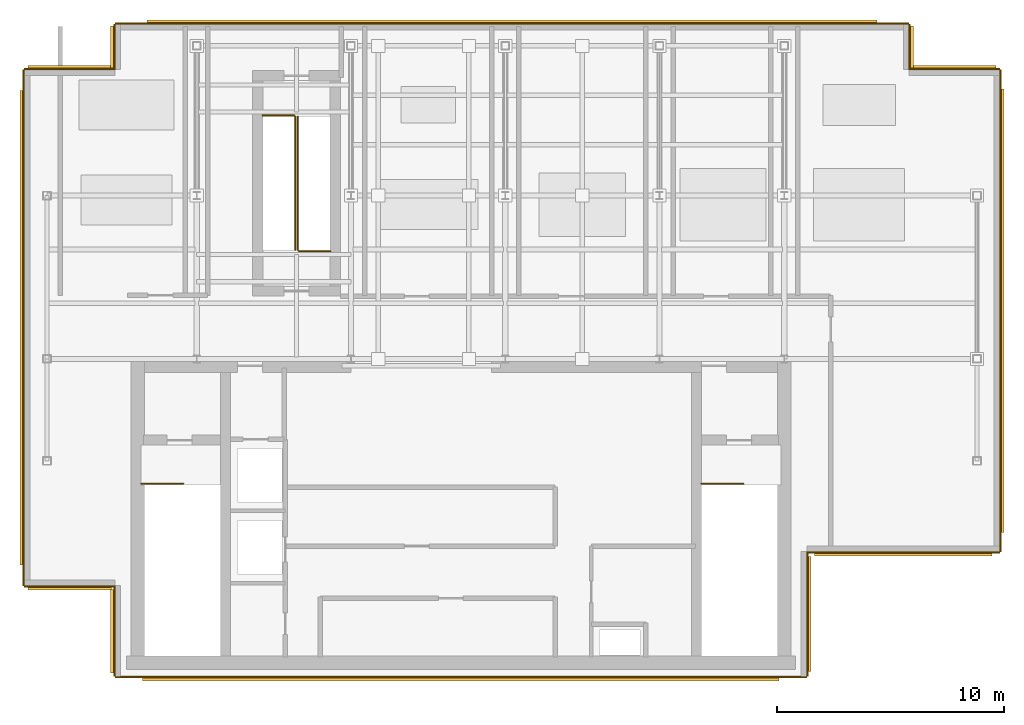
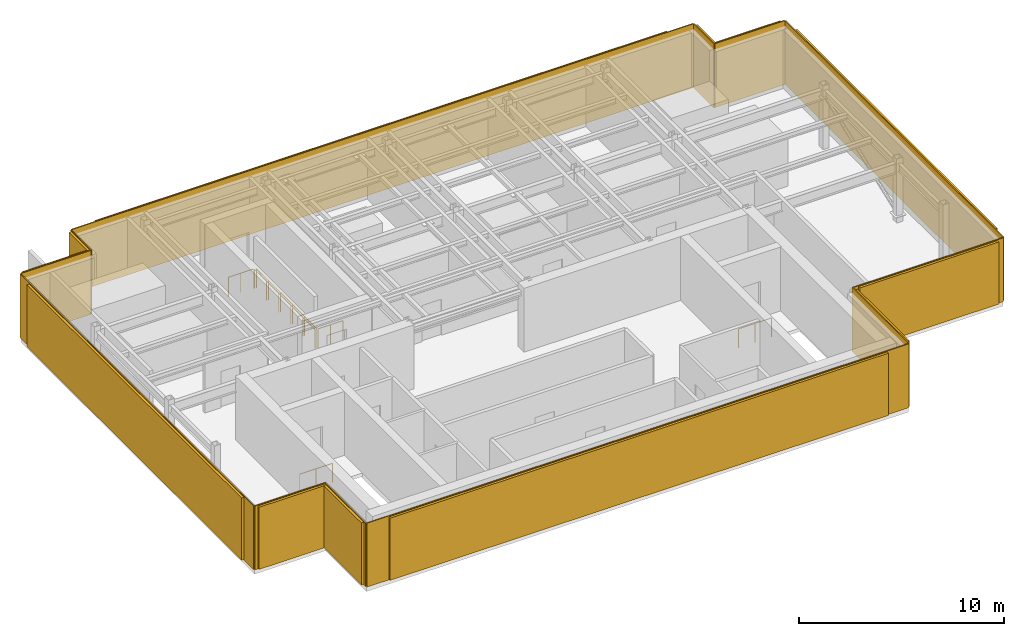
# One storey, part 4 of 5: 12 coverings, 12 shading devices, 6 railings.
"""IFC4 building model written with IfcOpenShell, lengths in metres."""

from ifc_helpers import new_model, si_unit, derived_unit, direction, frame, origin, origin_2d, place, context, subcontext, project, spatial, rectangle, circle, extrude, source, transform, mapped, material, layer, layer_set, type_object, element, save


model = new_model("IFC4")

# Units and contexts
model_context = context("Model", 3, precision=1e-05, world=origin(), true_north=direction((0.0, 1.0)))
body_context = subcontext(model_context, "Body", "Model", "MODEL_VIEW")
ifc_project = project(units=[si_unit("LENGTHUNIT", "METRE"), si_unit("AREAUNIT", "SQUARE_METRE"), si_unit("VOLUMEUNIT", "CUBIC_METRE"), si_unit("PLANEANGLEUNIT", "RADIAN"), si_unit("MASSUNIT", "GRAM", prefix="KILO"), derived_unit("THERMALTRANSMITTANCEUNIT", [(si_unit("POWERUNIT", "WATT"), 1), (si_unit("LENGTHUNIT", "METRE"), -2), (si_unit("THERMODYNAMICTEMPERATUREUNIT", "KELVIN"), -1)])], contexts=[model_context])

# Site, building, storey
site_placement = place(None, origin())
site = spatial("IfcSite", under=ifc_project, at=site_placement, CompositionType="ELEMENT")
building_placement = place(site_placement, origin())
building = spatial("IfcBuilding", under=site, at=building_placement, Name="Skarnbrae Concourse Arena and Tower", CompositionType="ELEMENT")
storey_placement = place(building_placement, frame((0.0, 0.0, 311.25)))
storey = spatial("IfcBuildingStorey", under=building, at=storey_placement, Name="L81", CompositionType="ELEMENT", Elevation=311.25)

# Railings
ifc_material_1 = material(Name="Steel CSA G40.21 350W", Category="steel")
railing_type = type_object("IfcRailingType", Name="RAIL-STAIR-GUARD-1150", PredefinedType="GUARDRAIL", material=ifc_material_1)
railing_1_placement = place(storey_placement, frame((5.14990234375, 8.5, 0.0)))
element("IfcRailing", 1, at=railing_1_placement, inside=storey, type_object=railing_type, Name="L81 ST-1 top well guard 1", PredefinedType="GUARDRAIL", context=body_context, shape_type="SweptSolid", body=[
    extrude(circle(Radius=0.02392578125, at=origin_2d()), frame((0.0, 0.0, 1.1259765625), z_axis=(1.0, 0.0, 0.0), x_axis=(0.0, 1.0, 0.0)), (0.0, 0.0, 1.0), 1.85009765625),
    extrude(circle(Radius=0.02099609375, at=origin_2d()), origin(), (0.0, 0.0, 1.0), 1.101806640625),
    extrude(circle(Radius=0.02099609375, at=origin_2d()), frame((0.925048828125, 0.0, 0.0)), (0.0, 0.0, 1.0), 1.101806640625),
    extrude(circle(Radius=0.02099609375, at=origin_2d()), frame((1.85009765625, 0.0, 0.0)), (0.0, 0.0, 1.0), 1.101806640625),
])
railing_2_placement = place(storey_placement, frame((29.85009765625, 8.5, 0.0)))
element("IfcRailing", 2, at=railing_2_placement, inside=storey, type_object=railing_type, Name="L81 ST-2 top well guard 1", PredefinedType="GUARDRAIL", context=body_context, shape_type="SweptSolid", body=[
    extrude(circle(Radius=0.02392578125, at=origin_2d()), frame((0.0, 0.0, 1.1259765625), z_axis=(1.0, 0.0, 0.0), x_axis=(0.0, 1.0, 0.0)), (0.0, 0.0, 1.0), 1.849853515625),
    extrude(circle(Radius=0.02099609375, at=origin_2d()), origin(), (0.0, 0.0, 1.0), 1.101806640625),
    extrude(circle(Radius=0.02099609375, at=origin_2d()), frame((0.9248046875, 0.0, 0.0)), (0.0, 0.0, 1.0), 1.101806640625),
    extrude(circle(Radius=0.02099609375, at=origin_2d()), frame((1.849853515625, 0.0, 0.0)), (0.0, 0.0, 1.0), 1.101806640625),
])
for number, where, name in (
    (3, (13.5, 18.75, 0.0), "L81 ST-CRWN top well guard 1"),
    (4, (11.89990234375, 24.72998046875, 0.0), "L81 ST-CRWN top well guard 2"),
):
    element("IfcRailing", number, at=place(storey_placement, frame(where)), inside=storey, type_object=railing_type, Name=name, PredefinedType="GUARDRAIL", context=body_context, shape_type="SweptSolid", body=[
        extrude(circle(Radius=0.02392578125, at=origin_2d()), frame((0.0, 0.0, 1.1259765625), z_axis=(-1.0, 0.0, 0.0), x_axis=(0.0, -1.0, 0.0)), (0.0, 0.0, 1.0), 1.39990234375),
        extrude(circle(Radius=0.02099609375, at=origin_2d()), origin(), (0.0, 0.0, 1.0), 1.101806640625),
        extrude(circle(Radius=0.02099609375, at=origin_2d()), frame((-0.699951171875, 0.0, 0.0)), (0.0, 0.0, 1.0), 1.101806640625),
        extrude(circle(Radius=0.02099609375, at=origin_2d()), frame((-1.39990234375, 0.0, 0.0)), (0.0, 0.0, 1.0), 1.101806640625),
    ])
for number, where, name in (
    (5, (12.050048828125, 18.800048828125, 0.0), "L81 ST-CRWN top well guard 3"),
    (6, (11.949951171875, 18.800048828125, 0.0), "L81 ST-CRWN top well guard 4"),
):
    element("IfcRailing", number, at=place(storey_placement, frame(where)), inside=storey, type_object=railing_type, Name=name, PredefinedType="GUARDRAIL", context=body_context, shape_type="SweptSolid", body=[
        extrude(circle(Radius=0.02392578125, at=origin_2d()), frame((0.0, 0.0, 1.1259765625), z_axis=(0.0, 1.0, 0.0), x_axis=(-1.0, 0.0, 0.0)), (0.0, 0.0, 1.0), 5.8798828125),
        extrude(circle(Radius=0.02099609375, at=origin_2d()), origin(), (0.0, 0.0, 1.0), 1.101806640625),
        extrude(circle(Radius=0.02099609375, at=origin_2d()), frame((0.0, 1.176025390625, 0.0)), (0.0, 0.0, 1.0), 1.101806640625),
        extrude(circle(Radius=0.02099609375, at=origin_2d()), frame((0.0, 2.35205078125, 0.0)), (0.0, 0.0, 1.0), 1.101806640625),
        extrude(circle(Radius=0.02099609375, at=origin_2d()), frame((0.0, 3.52783203125, 0.0)), (0.0, 0.0, 1.0), 1.101806640625),
        extrude(circle(Radius=0.02099609375, at=origin_2d()), frame((0.0, 4.703857421875, 0.0)), (0.0, 0.0, 1.0), 1.101806640625),
        extrude(circle(Radius=0.02099609375, at=origin_2d()), frame((0.0, 5.8798828125, 0.0)), (0.0, 0.0, 1.0), 1.101806640625),
    ])

# Covering
ifc_material_2 = material(Name="Bronze anodised aluminium 6063-T6", Category="aluminium")
ifc_layer = layer(ifc_material_2, 0.06005859375)
ifc_layer_set = layer_set([ifc_layer], Name="Bronze anodised aluminium 6063-T6")
covering_type = type_object("IfcCoveringType", Name="COV-CLAD-BRONZE-60", PredefinedType="CLADDING", material=ifc_layer_set)
shared_shape_1 = source(origin(), body_context, "Body", "SweptSolid", [
    extrude(rectangle(XDim=30.5, YDim=0.06005859375, at=origin_2d()), origin(), (0.0, 0.0, 1.0), 3.800048828125),
])
covering_1_placement = place(storey_placement, frame((19.25, -0.030029296875, 0.0), z_axis=(0.0, 0.0, 1.0), x_axis=(1.0, 0.0, 0.0)))
element("IfcCovering", 7, at=covering_1_placement, inside=storey, type_object=covering_type, Name="L81 Bronze crown rainscreen cladding 01", PredefinedType="CLADDING", context=body_context, shape_type="MappedRepresentation", body=[
    mapped(shared_shape_1, transform((0.0, 0.0, 0.0))),
])

# Shading device
shading_device_type = type_object("IfcShadingDeviceType", Name="SHD-BRONZE-LOUVRE-150", PredefinedType="USERDEFINED", material=ifc_material_2)
shared_shape_2 = source(origin(), body_context, "Body", "SweptSolid", [
    extrude(rectangle(XDim=28.06005859375, YDim=0.139892578125, at=origin_2d()), origin(), (0.0, 0.0, 1.0), 3.699951171875),
])
shading_device_1_placement = place(storey_placement, frame((19.25, -0.1201171875, 0.0498046875), z_axis=(0.0, 0.0, 1.0), x_axis=(1.0, 0.0, 0.0)))
element("IfcShadingDevice", 8, at=shading_device_1_placement, inside=storey, type_object=shading_device_type, Name="L81 Crown bronze architectural louvre screen 01", ObjectType="LOUVRE", PredefinedType="USERDEFINED", context=body_context, shape_type="MappedRepresentation", body=[
    mapped(shared_shape_2, transform((0.0, 0.0, 0.0))),
])

# Covering
shared_shape_3 = source(origin(), body_context, "Body", "SweptSolid", [
    extrude(rectangle(XDim=5.5, YDim=0.06005859375, at=origin_2d()), origin(), (0.0, 0.0, 1.0), 3.800048828125),
])
covering_2_placement = place(storey_placement, frame((34.530029296875, 2.75, 0.0), z_axis=(0.0, 0.0, 1.0), x_axis=(0.0, 1.0, 0.0)))
element("IfcCovering", 9, at=covering_2_placement, inside=storey, type_object=covering_type, Name="L81 Bronze crown rainscreen cladding 02", PredefinedType="CLADDING", context=body_context, shape_type="MappedRepresentation", body=[
    mapped(shared_shape_3, transform((0.0, 0.0, 0.0))),
])

# Shading device
shared_shape_4 = source(origin(), body_context, "Body", "SweptSolid", [
    extrude(rectangle(XDim=5.06005859375, YDim=0.139892578125, at=origin_2d()), origin(), (0.0, 0.0, 1.0), 3.699951171875),
])
shading_device_2_placement = place(storey_placement, frame((34.6201171875, 2.75, 0.0498046875), z_axis=(0.0, 0.0, 1.0), x_axis=(0.0, 1.0, 0.0)))
element("IfcShadingDevice", 10, at=shading_device_2_placement, inside=storey, type_object=shading_device_type, Name="L81 Crown bronze architectural louvre screen 02", ObjectType="LOUVRE", PredefinedType="USERDEFINED", context=body_context, shape_type="MappedRepresentation", body=[
    mapped(shared_shape_4, transform((0.0, 0.0, 0.0))),
])

# Covering
shared_shape_5 = source(origin(), body_context, "Body", "SweptSolid", [
    extrude(rectangle(XDim=8.5, YDim=0.06005859375, at=origin_2d()), origin(), (0.0, 0.0, 1.0), 3.800048828125),
])
covering_3_placement = place(storey_placement, frame((38.75, 5.469970703125, 0.0), z_axis=(0.0, 0.0, 1.0), x_axis=(1.0, 0.0, 0.0)))
element("IfcCovering", 11, at=covering_3_placement, inside=storey, type_object=covering_type, Name="L81 Bronze crown rainscreen cladding 03", PredefinedType="CLADDING", context=body_context, shape_type="MappedRepresentation", body=[
    mapped(shared_shape_5, transform((0.0, 0.0, 0.0))),
])

# Shading device
shared_shape_6 = source(origin(), body_context, "Body", "SweptSolid", [
    extrude(rectangle(XDim=7.820068359375, YDim=0.139892578125, at=origin_2d()), origin(), (0.0, 0.0, 1.0), 3.699951171875),
])
shading_device_3_placement = place(storey_placement, frame((38.75, 5.3798828125, 0.0498046875), z_axis=(0.0, 0.0, 1.0), x_axis=(1.0, 0.0, 0.0)))
element("IfcShadingDevice", 12, at=shading_device_3_placement, inside=storey, type_object=shading_device_type, Name="L81 Crown bronze architectural louvre screen 03", ObjectType="LOUVRE", PredefinedType="USERDEFINED", context=body_context, shape_type="MappedRepresentation", body=[
    mapped(shared_shape_6, transform((0.0, 0.0, 0.0))),
])

# Covering
shared_shape_7 = source(origin(), body_context, "Body", "SweptSolid", [
    extrude(rectangle(XDim=21.25, YDim=0.06005859375, at=origin_2d()), origin(), (0.0, 0.0, 1.0), 3.800048828125),
])
covering_4_placement = place(storey_placement, frame((43.030029296875, 16.125, 0.0), z_axis=(0.0, 0.0, 1.0), x_axis=(0.0, 1.0, 0.0)))
element("IfcCovering", 13, at=covering_4_placement, inside=storey, type_object=covering_type, Name="L81 Bronze crown rainscreen cladding 04", PredefinedType="CLADDING", context=body_context, shape_type="MappedRepresentation", body=[
    mapped(shared_shape_7, transform((0.0, 0.0, 0.0))),
])

# Shading device
shared_shape_8 = source(origin(), body_context, "Body", "SweptSolid", [
    extrude(rectangle(XDim=19.550048828125, YDim=0.139892578125, at=origin_2d()), origin(), (0.0, 0.0, 1.0), 3.699951171875),
])
shading_device_4_placement = place(storey_placement, frame((43.1201171875, 16.125, 0.0498046875), z_axis=(0.0, 0.0, 1.0), x_axis=(0.0, 1.0, 0.0)))
element("IfcShadingDevice", 14, at=shading_device_4_placement, inside=storey, type_object=shading_device_type, Name="L81 Crown bronze architectural louvre screen 04", ObjectType="LOUVRE", PredefinedType="USERDEFINED", context=body_context, shape_type="MappedRepresentation", body=[
    mapped(shared_shape_8, transform((0.0, 0.0, 0.0))),
])

# Coverings
shared_shape_9 = source(origin(), body_context, "Body", "SweptSolid", [
    extrude(rectangle(XDim=4.0, YDim=0.06005859375, at=origin_2d()), origin(), (0.0, 0.0, 1.0), 3.800048828125),
])
for number, where, z_axis, x_axis, name in (
    (15, (41.0, 26.780029296875, 0.0), (0.0, 0.0, 1.0), (-1.0, 0.0, 0.0), "L81 Bronze crown rainscreen cladding 05"),
    (16, (2.0, 26.780029296875, 0.0), (0.0, 0.0, 1.0), (-1.0, 0.0, 0.0), "L81 Bronze crown rainscreen cladding 09"),
    (17, (2.0, 3.969970703125, 0.0), (0.0, 0.0, 1.0), (1.0, 0.0, 0.0), "L81 Bronze crown rainscreen cladding 11"),
    (18, (3.969970703125, 2.0, 0.0), (0.0, 0.0, 1.0), (0.0, -1.0, 0.0), "L81 Bronze crown rainscreen cladding 12"),
):
    element("IfcCovering", number, at=place(storey_placement, frame(where, z_axis=z_axis, x_axis=x_axis)), inside=storey, type_object=covering_type, Name=name, PredefinedType="CLADDING", context=body_context, shape_type="MappedRepresentation", body=[
        mapped(shared_shape_9, transform((0.0, 0.0, 0.0))),
    ])

# Shading devices
shared_shape_10 = source(origin(), body_context, "Body", "SweptSolid", [
    extrude(rectangle(XDim=3.679931640625, YDim=0.139892578125, at=origin_2d()), origin(), (0.0, 0.0, 1.0), 3.699951171875),
])
for number, where, z_axis, x_axis, name in (
    (19, (41.0, 26.8701171875, 0.0498046875), (0.0, 0.0, 1.0), (-1.0, 0.0, 0.0), "L81 Crown bronze architectural louvre screen 05"),
    (20, (2.0, 26.8701171875, 0.0498046875), (0.0, 0.0, 1.0), (-1.0, 0.0, 0.0), "L81 Crown bronze architectural louvre screen 09"),
    (21, (2.0, 3.8798828125, 0.0498046875), (0.0, 0.0, 1.0), (1.0, 0.0, 0.0), "L81 Crown bronze architectural louvre screen 11"),
    (22, (3.8798828125, 2.0, 0.0498046875), (0.0, 0.0, 1.0), (0.0, -1.0, 0.0), "L81 Crown bronze architectural louvre screen 12"),
):
    element("IfcShadingDevice", number, at=place(storey_placement, frame(where, z_axis=z_axis, x_axis=x_axis)), inside=storey, type_object=shading_device_type, Name=name, ObjectType="LOUVRE", PredefinedType="USERDEFINED", context=body_context, shape_type="MappedRepresentation", body=[
        mapped(shared_shape_10, transform((0.0, 0.0, 0.0))),
    ])

# Coverings
shared_shape_11 = source(origin(), body_context, "Body", "SweptSolid", [
    extrude(rectangle(XDim=2.0, YDim=0.06005859375, at=origin_2d()), origin(), (0.0, 0.0, 1.0), 3.800048828125),
])
for number, where, z_axis, x_axis, name in (
    (23, (39.030029296875, 27.75, 0.0), (0.0, 0.0, 1.0), (0.0, 1.0, 0.0), "L81 Bronze crown rainscreen cladding 06"),
    (24, (3.969970703125, 27.75, 0.0), (0.0, 0.0, 1.0), (0.0, -1.0, 0.0), "L81 Bronze crown rainscreen cladding 08"),
):
    element("IfcCovering", number, at=place(storey_placement, frame(where, z_axis=z_axis, x_axis=x_axis)), inside=storey, type_object=covering_type, Name=name, PredefinedType="CLADDING", context=body_context, shape_type="MappedRepresentation", body=[
        mapped(shared_shape_11, transform((0.0, 0.0, 0.0))),
    ])

# Shading devices
shared_shape_12 = source(origin(), body_context, "Body", "SweptSolid", [
    extrude(rectangle(XDim=1.840087890625, YDim=0.139892578125, at=origin_2d()), origin(), (0.0, 0.0, 1.0), 3.699951171875),
])
for number, where, z_axis, x_axis, name in (
    (25, (39.1201171875, 27.75, 0.0498046875), (0.0, 0.0, 1.0), (0.0, 1.0, 0.0), "L81 Crown bronze architectural louvre screen 06"),
    (26, (3.8798828125, 27.75, 0.0498046875), (0.0, 0.0, 1.0), (0.0, -1.0, 0.0), "L81 Crown bronze architectural louvre screen 08"),
):
    element("IfcShadingDevice", number, at=place(storey_placement, frame(where, z_axis=z_axis, x_axis=x_axis)), inside=storey, type_object=shading_device_type, Name=name, ObjectType="LOUVRE", PredefinedType="USERDEFINED", context=body_context, shape_type="MappedRepresentation", body=[
        mapped(shared_shape_12, transform((0.0, 0.0, 0.0))),
    ])

# Covering
shared_shape_13 = source(origin(), body_context, "Body", "SweptSolid", [
    extrude(rectangle(XDim=35.0, YDim=0.06005859375, at=origin_2d()), origin(), (0.0, 0.0, 1.0), 3.800048828125),
])
covering_5_placement = place(storey_placement, frame((21.5, 28.780029296875, 0.0), z_axis=(0.0, 0.0, 1.0), x_axis=(-1.0, 0.0, 0.0)))
element("IfcCovering", 27, at=covering_5_placement, inside=storey, type_object=covering_type, Name="L81 Bronze crown rainscreen cladding 07", PredefinedType="CLADDING", context=body_context, shape_type="MappedRepresentation", body=[
    mapped(shared_shape_13, transform((0.0, 0.0, 0.0))),
])

# Shading device
shared_shape_14 = source(origin(), body_context, "Body", "SweptSolid", [
    extrude(rectangle(XDim=32.199951171875, YDim=0.139892578125, at=origin_2d()), origin(), (0.0, 0.0, 1.0), 3.699951171875),
])
shading_device_5_placement = place(storey_placement, frame((21.5, 28.8701171875, 0.0498046875), z_axis=(0.0, 0.0, 1.0), x_axis=(-1.0, 0.0, 0.0)))
element("IfcShadingDevice", 28, at=shading_device_5_placement, inside=storey, type_object=shading_device_type, Name="L81 Crown bronze architectural louvre screen 07", ObjectType="LOUVRE", PredefinedType="USERDEFINED", context=body_context, shape_type="MappedRepresentation", body=[
    mapped(shared_shape_14, transform((0.0, 0.0, 0.0))),
])

# Covering
shared_shape_15 = source(origin(), body_context, "Body", "SweptSolid", [
    extrude(rectangle(XDim=22.75, YDim=0.06005859375, at=origin_2d()), origin(), (0.0, 0.0, 1.0), 3.800048828125),
])
covering_6_placement = place(storey_placement, frame((-0.030029296875, 15.375, 0.0), z_axis=(0.0, 0.0, 1.0), x_axis=(0.0, -1.0, 0.0)))
element("IfcCovering", 29, at=covering_6_placement, inside=storey, type_object=covering_type, Name="L81 Bronze crown rainscreen cladding 10", PredefinedType="CLADDING", context=body_context, shape_type="MappedRepresentation", body=[
    mapped(shared_shape_15, transform((0.0, 0.0, 0.0))),
])

# Shading device
shared_shape_16 = source(origin(), body_context, "Body", "SweptSolid", [
    extrude(rectangle(XDim=20.929931640625, YDim=0.139892578125, at=origin_2d()), origin(), (0.0, 0.0, 1.0), 3.699951171875),
])
shading_device_6_placement = place(storey_placement, frame((-0.1201171875, 15.375, 0.0498046875), z_axis=(0.0, 0.0, 1.0), x_axis=(0.0, -1.0, 0.0)))
element("IfcShadingDevice", 30, at=shading_device_6_placement, inside=storey, type_object=shading_device_type, Name="L81 Crown bronze architectural louvre screen 10", ObjectType="LOUVRE", PredefinedType="USERDEFINED", context=body_context, shape_type="MappedRepresentation", body=[
    mapped(shared_shape_16, transform((0.0, 0.0, 0.0))),
])

save(model, "model.ifc")
